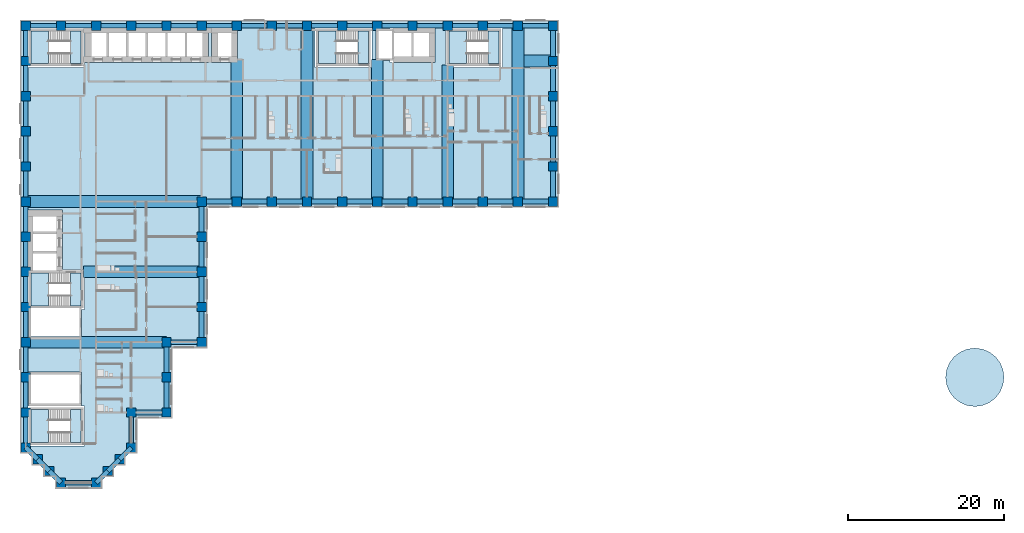
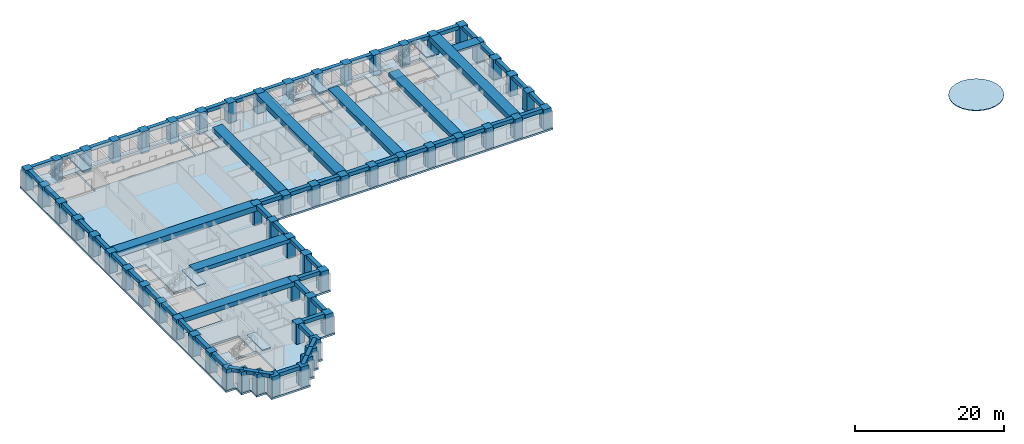
# One storey, part 1 of 12: 67 beams, 58 columns, 12 slabs, 5 elements without a shape of their own.
"""IFC4 building model written with IfcOpenShell, lengths in metres."""

from ifc_helpers import new_model, si_unit, direction, frame, origin, origin_2d, place, context, subcontext, project, spatial, polyline, rectangle, outline, extrude, material, layer, layer_set, material_profile, profile_set, type_object, element, aggregate, save


model = new_model("IFC4")

# Units and contexts
model_context = context("Model", 3, precision=1e-05, world=origin(), true_north=direction((0.0, 1.0)))
body_context = subcontext(model_context, "Body", "Model", "MODEL_VIEW")
ifc_project = project(units=[si_unit("LENGTHUNIT", "METRE"), si_unit("AREAUNIT", "SQUARE_METRE"), si_unit("VOLUMEUNIT", "CUBIC_METRE"), si_unit("PLANEANGLEUNIT", "RADIAN"), si_unit("MASSUNIT", "GRAM", prefix="KILO")], contexts=[model_context])

# Site, building, storey
site_placement = place(None, origin())
site = spatial("IfcSite", under=ifc_project, at=site_placement, CompositionType="ELEMENT")
building_placement = place(site_placement, origin())
building = spatial("IfcBuilding", under=site, at=building_placement, Name="Firuza Court", CompositionType="ELEMENT")
storey_placement = place(building_placement, frame((0.0, 0.0, 36.199951171875)))
storey = spatial("IfcBuildingStorey", under=building, at=storey_placement, Name="L07", CompositionType="ELEMENT", Elevation=36.199951171875)

# Columns
ifc_material_1 = material(Name="Concrete C70/85", Category="concrete")
ifc_material_profile_1 = material_profile(ifc_material_1, rectangle(XDim=1.199951171875, YDim=1.199951171875, at=origin_2d()), Name="RC 1200x1200")
ifc_profile_set_1 = profile_set([ifc_material_profile_1], Name="Concrete C70/85")
column_type = type_object("IfcColumnType", Name="Tube column RC 1200x1200 C70/85", PredefinedType="COLUMN", material=ifc_profile_set_1)
for number, where, z_axis, x_axis, name in (
    (1, (4.5, 0.0, -0.300048828125), (0.0, 0.0, 1.0), (1.0, 0.0, 0.0), "Column C-2D L07"),
    (2, (9.0, 0.0, -0.300048828125), (0.0, 0.0, 1.0), (1.0, 0.0, 0.0), "Column C-3D L07"),
    (3, (3.0, 1.5, -0.300048828125), (0.0, 0.0, 1.0), (1.0, 0.0, 0.0), "Column C-SA1 L07"),
    (4, (10.5, 1.5, -0.300048828125), (0.0, 0.0, 1.0), (1.0, 0.0, 0.0), "Column C-SA2 L07"),
    (5, (1.5, 3.0, -0.300048828125), (0.0, 0.0, 1.0), (1.0, 0.0, 0.0), "Column C-SA3 L07"),
    (6, (12.0, 3.0, -0.300048828125), (0.0, 0.0, 1.0), (1.0, 0.0, 0.0), "Column C-SA4 L07"),
    (7, (0.0, 4.5, -0.300048828125), (0.0, 0.0, 1.0), (1.0, 0.0, 0.0), "Column C-1E L07"),
    (8, (13.5, 4.5, -0.300048828125), (0.0, 0.0, 1.0), (1.0, 0.0, 0.0), "Column C-4E L07"),
    (9, (0.0, 9.0, -0.300048828125), (0.0, 0.0, 1.0), (1.0, 0.0, 0.0), "Column C-1F L07"),
    (10, (13.5, 9.0, -0.300048828125), (0.0, 0.0, 1.0), (1.0, 0.0, 0.0), "Column C-4F L07"),
    (11, (18.0, 9.0, -0.300048828125), (0.0, 0.0, 1.0), (1.0, 0.0, 0.0), "Column C-5F L07"),
    (12, (0.0, 13.5, -0.300048828125), (0.0, 0.0, 1.0), (1.0, 0.0, 0.0), "Column C-1G L07"),
    (13, (18.0, 13.5, -0.300048828125), (0.0, 0.0, 1.0), (1.0, 0.0, 0.0), "Column C-5G L07"),
    (14, (0.0, 18.0, -0.300048828125), (0.0, 0.0, 1.0), (1.0, 0.0, 0.0), "Column C-1H L07"),
    (15, (18.0, 18.0, -0.300048828125), (0.0, 0.0, 1.0), (1.0, 0.0, 0.0), "Column C-5H L07"),
    (16, (22.5, 18.0, -0.300048828125), (0.0, 0.0, 1.0), (1.0, 0.0, 0.0), "Column C-6H L07"),
    (17, (0.0, 22.5, -0.300048828125), (0.0, 0.0, 1.0), (1.0, 0.0, 0.0), "Column C-1J L07"),
    (18, (22.5, 22.5, -0.300048828125), (0.0, 0.0, 1.0), (1.0, 0.0, 0.0), "Column C-6J L07"),
    (19, (0.0, 27.0, -0.300048828125), (0.0, 0.0, 1.0), (1.0, 0.0, 0.0), "Column C-1K L07"),
    (20, (22.5, 27.0, -0.300048828125), (0.0, 0.0, 1.0), (1.0, 0.0, 0.0), "Column C-6K L07"),
    (21, (0.0, 31.5, -0.300048828125), (0.0, 0.0, 1.0), (1.0, 0.0, 0.0), "Column C-1L L07"),
    (22, (22.5, 31.5, -0.300048828125), (0.0, 0.0, 1.0), (1.0, 0.0, 0.0), "Column C-6L L07"),
    (23, (0.0, 36.0, -0.300048828125), (0.0, 0.0, 1.0), (1.0, 0.0, 0.0), "Column C-1M L07"),
    (24, (22.5, 36.0, -0.300048828125), (0.0, 0.0, 1.0), (1.0, 0.0, 0.0), "Column C-6M L07"),
    (25, (27.0, 36.0, -0.300048828125), (0.0, 0.0, 1.0), (1.0, 0.0, 0.0), "Column C-7M L07"),
    (26, (31.5, 36.0, -0.300048828125), (0.0, 0.0, 1.0), (1.0, 0.0, 0.0), "Column C-8M L07"),
    (27, (36.0, 36.0, -0.300048828125), (0.0, 0.0, 1.0), (1.0, 0.0, 0.0), "Column C-9M L07"),
    (28, (40.5, 36.0, -0.300048828125), (0.0, 0.0, 1.0), (1.0, 0.0, 0.0), "Column C-10M L07"),
    (29, (45.0, 36.0, -0.300048828125), (0.0, 0.0, 1.0), (1.0, 0.0, 0.0), "Column C-11M L07"),
    (30, (49.5, 36.0, -0.300048828125), (0.0, 0.0, 1.0), (1.0, 0.0, 0.0), "Column C-12M L07"),
    (31, (54.0, 36.0, -0.300048828125), (0.0, 0.0, 1.0), (1.0, 0.0, 0.0), "Column C-13M L07"),
    (32, (58.5, 36.0, -0.300048828125), (0.0, 0.0, 1.0), (1.0, 0.0, 0.0), "Column C-14M L07"),
    (33, (63.0, 36.0, -0.300048828125), (0.0, 0.0, 1.0), (1.0, 0.0, 0.0), "Column C-15M L07"),
    (34, (67.5, 36.0, -0.300048828125), (0.0, 0.0, 1.0), (1.0, 0.0, 0.0), "Column C-16M L07"),
    (35, (0.0, 40.5, -0.300048828125), (0.0, 0.0, 1.0), (1.0, 0.0, 0.0), "Column C-1N L07"),
    (36, (67.5, 40.5, -0.300048828125), (0.0, 0.0, 1.0), (1.0, 0.0, 0.0), "Column C-16N L07"),
    (37, (0.0, 45.0, -0.300048828125), (0.0, 0.0, 1.0), (1.0, 0.0, 0.0), "Column C-1P L07"),
    (38, (67.5, 45.0, -0.300048828125), (0.0, 0.0, 1.0), (1.0, 0.0, 0.0), "Column C-16P L07"),
    (39, (0.0, 49.5, -0.300048828125), (0.0, 0.0, 1.0), (1.0, 0.0, 0.0), "Column C-1Q L07"),
    (40, (67.5, 49.5, -0.300048828125), (0.0, 0.0, 1.0), (1.0, 0.0, 0.0), "Column C-16Q L07"),
    (41, (0.0, 54.0, -0.300048828125), (0.0, 0.0, 1.0), (1.0, 0.0, 0.0), "Column C-1R L07"),
    (42, (67.5, 54.0, -0.300048828125), (0.0, 0.0, 1.0), (1.0, 0.0, 0.0), "Column C-16R L07"),
    (43, (0.0, 58.5, -0.300048828125), (0.0, 0.0, 1.0), (1.0, 0.0, 0.0), "Column C-1S L07"),
    (44, (4.5, 58.5, -0.300048828125), (0.0, 0.0, 1.0), (1.0, 0.0, 0.0), "Column C-2S L07"),
    (45, (9.0, 58.5, -0.300048828125), (0.0, 0.0, 1.0), (1.0, 0.0, 0.0), "Column C-3S L07"),
    (46, (13.5, 58.5, -0.300048828125), (0.0, 0.0, 1.0), (1.0, 0.0, 0.0), "Column C-4S L07"),
    (47, (18.0, 58.5, -0.300048828125), (0.0, 0.0, 1.0), (1.0, 0.0, 0.0), "Column C-5S L07"),
    (48, (22.5, 58.5, -0.300048828125), (0.0, 0.0, 1.0), (1.0, 0.0, 0.0), "Column C-6S L07"),
    (49, (27.0, 58.5, -0.300048828125), (0.0, 0.0, 1.0), (1.0, 0.0, 0.0), "Column C-7S L07"),
    (50, (31.5, 58.5, -0.300048828125), (0.0, 0.0, 1.0), (1.0, 0.0, 0.0), "Column C-8S L07"),
    (51, (36.0, 58.5, -0.300048828125), (0.0, 0.0, 1.0), (1.0, 0.0, 0.0), "Column C-9S L07"),
    (52, (40.5, 58.5, -0.300048828125), (0.0, 0.0, 1.0), (1.0, 0.0, 0.0), "Column C-10S L07"),
    (53, (45.0, 58.5, -0.300048828125), (0.0, 0.0, 1.0), (1.0, 0.0, 0.0), "Column C-11S L07"),
    (54, (49.5, 58.5, -0.300048828125), (0.0, 0.0, 1.0), (1.0, 0.0, 0.0), "Column C-12S L07"),
    (55, (54.0, 58.5, -0.300048828125), (0.0, 0.0, 1.0), (1.0, 0.0, 0.0), "Column C-13S L07"),
    (56, (58.5, 58.5, -0.300048828125), (0.0, 0.0, 1.0), (1.0, 0.0, 0.0), "Column C-14S L07"),
    (57, (63.0, 58.5, -0.300048828125), (0.0, 0.0, 1.0), (1.0, 0.0, 0.0), "Column C-15S L07"),
    (58, (67.5, 58.5, -0.300048828125), (0.0, 0.0, 1.0), (1.0, 0.0, 0.0), "Column C-16S L07"),
):
    element("IfcColumn", number, at=place(storey_placement, frame(where, z_axis=z_axis, x_axis=x_axis)), inside=storey, type_object=column_type, Name=name, PredefinedType="COLUMN", context=body_context, shape_type="SweptSolid", body=[
        extrude(rectangle(XDim=1.199951171875, YDim=1.199951171875, at=origin_2d()), origin(), (0.0, 0.0, 1.0), 3.60009765625),
    ])

# Beams
ifc_material_2 = material(Name="Concrete C40/50", Category="concrete")
ifc_material_profile_2 = material_profile(ifc_material_2, rectangle(XDim=1.5, YDim=0.300048828125, at=origin_2d()), Name="RC 1500x300")
ifc_profile_set_2 = profile_set([ifc_material_profile_2], Name="Concrete C40/50")
beam_type_1 = type_object("IfcBeamType", Name="Band beam RC 1500x300 C40/50", PredefinedType="BEAM", material=ifc_profile_set_2)
beam_1_placement = place(storey_placement, frame((67.5, 54.0, 3.150146484375), z_axis=(-1.0, 0.0, 0.0), x_axis=(0.0, -1.0, 0.0)))
element("IfcBeam", 59, at=beam_1_placement, inside=storey, type_object=beam_type_1, Name="Band beam FB6 level L08", PredefinedType="BEAM", context=body_context, shape_type="SweptSolid", body=[
    extrude(rectangle(XDim=1.5, YDim=0.300048828125, at=origin_2d()), origin(), (0.0, 0.0, 1.0), 3.75),
])
ifc_material_3 = material(Name="Concrete C40/50", Category="concrete")
ifc_material_profile_3 = material_profile(ifc_material_3, rectangle(XDim=1.5, YDim=0.60009765625, at=origin_2d()), Name="RC 1500x600")
ifc_profile_set_3 = profile_set([ifc_material_profile_3], Name="Concrete C40/50")
beam_type_2 = type_object("IfcBeamType", Name="Band beam RC 1500x600 C40/50", PredefinedType="BEAM", material=ifc_profile_set_3)
beam_2_placement = place(storey_placement, frame((22.5, 27.0, 3.0), z_axis=(-1.0, 0.0, 0.0), x_axis=(0.0, -1.0, 0.0)))
element("IfcBeam", 60, at=beam_2_placement, inside=storey, type_object=beam_type_2, Name="Band beam FB3 level L08", PredefinedType="BEAM", context=body_context, shape_type="SweptSolid", body=[
    extrude(rectangle(XDim=1.5, YDim=0.60009765625, at=origin_2d()), origin(), (0.0, 0.0, 1.0), 15.14990234375),
])
ifc_material_4 = material(Name="Concrete C40/50", Category="concrete")
ifc_material_profile_4 = material_profile(ifc_material_4, rectangle(XDim=1.5, YDim=0.699951171875, at=origin_2d()), Name="RC 1500x700")
ifc_profile_set_4 = profile_set([ifc_material_profile_4], Name="Concrete C40/50")
beam_type_3 = type_object("IfcBeamType", Name="Band beam RC 1500x700 C40/50", PredefinedType="BEAM", material=ifc_profile_set_4)
beam_3_placement = place(storey_placement, frame((0.0, 18.0, 2.949951171875), z_axis=(1.0, 0.0, 0.0), x_axis=(0.0, 1.0, 0.0)))
element("IfcBeam", 61, at=beam_3_placement, inside=storey, type_object=beam_type_3, Name="Band beam FB1 level L08", PredefinedType="BEAM", context=body_context, shape_type="SweptSolid", body=[
    extrude(rectangle(XDim=1.5, YDim=0.699951171875, at=origin_2d()), origin(), (0.0, 0.0, 1.0), 18.0),
])
for number, where, z_axis, x_axis, name in (
    (62, (27.0, 36.0, 2.949951171875), (0.0, 1.0, 0.0), (-1.0, 0.0, 0.0), "Band beam FB1 level L08"),
    (63, (45.0, 36.0, 2.949951171875), (0.0, 1.0, 0.0), (-1.0, 0.0, 0.0), "Band beam FB1 level L08"),
):
    element("IfcBeam", number, at=place(storey_placement, frame(where, z_axis=z_axis, x_axis=x_axis)), inside=storey, type_object=beam_type_3, Name=name, PredefinedType="BEAM", context=body_context, shape_type="SweptSolid", body=[
        extrude(rectangle(XDim=1.5, YDim=0.699951171875, at=origin_2d()), origin(), (0.0, 0.0, 1.0), 18.199951171875),
    ])
beam_4_placement = place(storey_placement, frame((54.0, 36.0, 2.949951171875), z_axis=(0.0, 1.0, 0.0), x_axis=(-1.0, 0.0, 0.0)))
element("IfcBeam", 64, at=beam_4_placement, inside=storey, type_object=beam_type_3, Name="Band beam FB1 level L08", PredefinedType="BEAM", context=body_context, shape_type="SweptSolid", body=[
    extrude(rectangle(XDim=1.5, YDim=0.699951171875, at=origin_2d()), origin(), (0.0, 0.0, 1.0), 17.5),
])
ifc_material_5 = material(Name="Concrete C40/50", Category="concrete")
ifc_material_profile_5 = material_profile(ifc_material_5, rectangle(XDim=1.5, YDim=0.89990234375, at=origin_2d()), Name="RC 1500x900")
ifc_profile_set_5 = profile_set([ifc_material_profile_5], Name="Concrete C40/50")
beam_type_4 = type_object("IfcBeamType", Name="Band beam RC 1500x900 C40/50", PredefinedType="BEAM", material=ifc_profile_set_5)
for number, where, z_axis, x_axis, name in (
    (65, (0.0, 36.0, 2.85009765625), (1.0, 0.0, 0.0), (0.0, 1.0, 0.0), "Band beam FB2 level L08"),
    (66, (36.0, 36.0, 2.85009765625), (0.0, 1.0, 0.0), (-1.0, 0.0, 0.0), "Band beam FB2 level L08"),
    (67, (63.0, 36.0, 2.85009765625), (0.0, 1.0, 0.0), (-1.0, 0.0, 0.0), "Band beam FB2 level L08"),
):
    element("IfcBeam", number, at=place(storey_placement, frame(where, z_axis=z_axis, x_axis=x_axis)), inside=storey, type_object=beam_type_4, Name=name, PredefinedType="BEAM", context=body_context, shape_type="SweptSolid", body=[
        extrude(rectangle(XDim=1.5, YDim=0.89990234375, at=origin_2d()), origin(), (0.0, 0.0, 1.0), 22.5),
    ])
ifc_material_6 = material(Name="Concrete C40/50", Category="concrete")
ifc_material_profile_6 = material_profile(ifc_material_6, rectangle(XDim=0.60009765625, YDim=0.60009765625, at=origin_2d()), Name="RC 600x600")
ifc_profile_set_6 = profile_set([ifc_material_profile_6], Name="Concrete C40/50")
beam_type_5 = type_object("IfcBeamType", Name="Spandrel beam RC 600x600 C40/50", PredefinedType="BEAM", material=ifc_profile_set_6)
beam_5_placement = place(storey_placement, frame((0.0, 4.5, 3.0), z_axis=(0.707106781187, -0.707106781187, 0.0), x_axis=(0.707106781187, 0.707106781187, 0.0)))
element("IfcBeam", 68, at=beam_5_placement, inside=storey, type_object=beam_type_5, Name="Spandrel beam SP11 level L08", PredefinedType="BEAM", context=body_context, shape_type="SweptSolid", body=[
    extrude(rectangle(XDim=0.60009765625, YDim=0.60009765625, at=origin_2d()), origin(), (0.0, 0.0, 1.0), 2.121337890625),
])
for number, where, z_axis, x_axis, name in (
    (69, (0.0, 9.0, 3.0), (0.0, -1.0, 0.0), (1.0, 0.0, 0.0), "Spandrel beam SP11 level L08"),
    (70, (0.0, 13.5, 3.0), (0.0, -1.0, 0.0), (1.0, 0.0, 0.0), "Spandrel beam SP11 level L08"),
    (71, (0.0, 18.0, 3.0), (0.0, -1.0, 0.0), (1.0, 0.0, 0.0), "Spandrel beam SP11 level L08"),
    (72, (0.0, 22.5, 3.0), (0.0, -1.0, 0.0), (1.0, 0.0, 0.0), "Spandrel beam SP11 level L08"),
    (73, (0.0, 27.0, 3.0), (0.0, -1.0, 0.0), (1.0, 0.0, 0.0), "Spandrel beam SP11 level L08"),
    (74, (0.0, 31.5, 3.0), (0.0, -1.0, 0.0), (1.0, 0.0, 0.0), "Spandrel beam SP11 level L08"),
    (75, (0.0, 36.0, 3.0), (0.0, -1.0, 0.0), (1.0, 0.0, 0.0), "Spandrel beam SP11 level L08"),
    (76, (0.0, 40.5, 3.0), (0.0, -1.0, 0.0), (1.0, 0.0, 0.0), "Spandrel beam SP11 level L08"),
    (77, (0.0, 45.0, 3.0), (0.0, -1.0, 0.0), (1.0, 0.0, 0.0), "Spandrel beam SP11 level L08"),
    (78, (0.0, 49.5, 3.0), (0.0, -1.0, 0.0), (1.0, 0.0, 0.0), "Spandrel beam SP11 level L08"),
    (79, (0.0, 54.0, 3.0), (0.0, -1.0, 0.0), (1.0, 0.0, 0.0), "Spandrel beam SP11 level L08"),
    (80, (0.0, 58.5, 3.0), (0.0, -1.0, 0.0), (1.0, 0.0, 0.0), "Spandrel beam SP11 level L08"),
):
    element("IfcBeam", number, at=place(storey_placement, frame(where, z_axis=z_axis, x_axis=x_axis)), inside=storey, type_object=beam_type_5, Name=name, PredefinedType="BEAM", context=body_context, shape_type="SweptSolid", body=[
        extrude(rectangle(XDim=0.60009765625, YDim=0.60009765625, at=origin_2d()), origin(), (0.0, 0.0, 1.0), 4.5),
    ])
for number, where, z_axis, x_axis, name in (
    (81, (1.5, 3.0, 3.0), (0.707106781187, -0.707106781187, 0.0), (0.707106781187, 0.707106781187, 0.0), "Spandrel beam SP11 level L08"),
    (82, (3.0, 1.5, 3.0), (0.707106781187, -0.707106781187, 0.0), (0.707106781187, 0.707106781187, 0.0), "Spandrel beam SP11 level L08"),
):
    element("IfcBeam", number, at=place(storey_placement, frame(where, z_axis=z_axis, x_axis=x_axis)), inside=storey, type_object=beam_type_5, Name=name, PredefinedType="BEAM", context=body_context, shape_type="SweptSolid", body=[
        extrude(rectangle(XDim=0.60009765625, YDim=0.60009765625, at=origin_2d()), origin(), (0.0, 0.0, 1.0), 2.121337890625),
    ])
for number, where, z_axis, x_axis, name in (
    (83, (4.5, 0.0, 3.0), (1.0, 0.0, 0.0), (0.0, 1.0, 0.0), "Spandrel beam SP11 level L08"),
    (84, (4.5, 58.5, 3.0), (-1.0, 0.0, 0.0), (0.0, -1.0, 0.0), "Spandrel beam SP11 level L08"),
):
    element("IfcBeam", number, at=place(storey_placement, frame(where, z_axis=z_axis, x_axis=x_axis)), inside=storey, type_object=beam_type_5, Name=name, PredefinedType="BEAM", context=body_context, shape_type="SweptSolid", body=[
        extrude(rectangle(XDim=0.60009765625, YDim=0.60009765625, at=origin_2d()), origin(), (0.0, 0.0, 1.0), 4.5),
    ])
beam_6_placement = place(storey_placement, frame((9.0, 0.0, 3.0), z_axis=(0.707106781187, 0.707106781187, 0.0), x_axis=(-0.707106781187, 0.707106781187, 0.0)))
element("IfcBeam", 85, at=beam_6_placement, inside=storey, type_object=beam_type_5, Name="Spandrel beam SP11 level L08", PredefinedType="BEAM", context=body_context, shape_type="SweptSolid", body=[
    extrude(rectangle(XDim=0.60009765625, YDim=0.60009765625, at=origin_2d()), origin(), (0.0, 0.0, 1.0), 2.121337890625),
])
beam_7_placement = place(storey_placement, frame((9.0, 58.5, 3.0), z_axis=(-1.0, 0.0, 0.0), x_axis=(0.0, -1.0, 0.0)))
element("IfcBeam", 86, at=beam_7_placement, inside=storey, type_object=beam_type_5, Name="Spandrel beam SP11 level L08", PredefinedType="BEAM", context=body_context, shape_type="SweptSolid", body=[
    extrude(rectangle(XDim=0.60009765625, YDim=0.60009765625, at=origin_2d()), origin(), (0.0, 0.0, 1.0), 4.5),
])
for number, where, z_axis, x_axis, name in (
    (87, (10.5, 1.5, 3.0), (0.707106781187, 0.707106781187, 0.0), (-0.707106781187, 0.707106781187, 0.0), "Spandrel beam SP11 level L08"),
    (88, (12.0, 3.0, 3.0), (0.707106781187, 0.707106781187, 0.0), (-0.707106781187, 0.707106781187, 0.0), "Spandrel beam SP11 level L08"),
):
    element("IfcBeam", number, at=place(storey_placement, frame(where, z_axis=z_axis, x_axis=x_axis)), inside=storey, type_object=beam_type_5, Name=name, PredefinedType="BEAM", context=body_context, shape_type="SweptSolid", body=[
        extrude(rectangle(XDim=0.60009765625, YDim=0.60009765625, at=origin_2d()), origin(), (0.0, 0.0, 1.0), 2.121337890625),
    ])
for number, where, z_axis, x_axis, name in (
    (89, (13.5, 4.5, 3.0), (0.0, 1.0, 0.0), (-1.0, 0.0, 0.0), "Spandrel beam SP11 level L08"),
    (90, (13.5, 9.0, 3.0), (1.0, 0.0, 0.0), (0.0, 1.0, 0.0), "Spandrel beam SP11 level L08"),
    (91, (13.5, 58.5, 3.0), (-1.0, 0.0, 0.0), (0.0, -1.0, 0.0), "Spandrel beam SP11 level L08"),
    (92, (18.0, 9.0, 3.0), (0.0, 1.0, 0.0), (-1.0, 0.0, 0.0), "Spandrel beam SP11 level L08"),
    (93, (18.0, 13.5, 3.0), (0.0, 1.0, 0.0), (-1.0, 0.0, 0.0), "Spandrel beam SP11 level L08"),
    (94, (18.0, 18.0, 3.0), (1.0, 0.0, 0.0), (0.0, 1.0, 0.0), "Spandrel beam SP11 level L08"),
    (95, (18.0, 58.5, 3.0), (-1.0, 0.0, 0.0), (0.0, -1.0, 0.0), "Spandrel beam SP11 level L08"),
    (96, (22.5, 18.0, 3.0), (0.0, 1.0, 0.0), (-1.0, 0.0, 0.0), "Spandrel beam SP11 level L08"),
    (97, (22.5, 22.5, 3.0), (0.0, 1.0, 0.0), (-1.0, 0.0, 0.0), "Spandrel beam SP11 level L08"),
    (98, (22.5, 27.0, 3.0), (0.0, 1.0, 0.0), (-1.0, 0.0, 0.0), "Spandrel beam SP11 level L08"),
    (99, (22.5, 31.5, 3.0), (0.0, 1.0, 0.0), (-1.0, 0.0, 0.0), "Spandrel beam SP11 level L08"),
    (100, (22.5, 36.0, 3.0), (1.0, 0.0, 0.0), (0.0, 1.0, 0.0), "Spandrel beam SP11 level L08"),
    (101, (22.5, 58.5, 3.0), (-1.0, 0.0, 0.0), (0.0, -1.0, 0.0), "Spandrel beam SP11 level L08"),
    (102, (27.0, 36.0, 3.0), (1.0, 0.0, 0.0), (0.0, 1.0, 0.0), "Spandrel beam SP11 level L08"),
    (103, (27.0, 58.5, 3.0), (-1.0, 0.0, 0.0), (0.0, -1.0, 0.0), "Spandrel beam SP11 level L08"),
    (104, (31.5, 36.0, 3.0), (1.0, 0.0, 0.0), (0.0, 1.0, 0.0), "Spandrel beam SP11 level L08"),
    (105, (31.5, 58.5, 3.0), (-1.0, 0.0, 0.0), (0.0, -1.0, 0.0), "Spandrel beam SP11 level L08"),
    (106, (36.0, 36.0, 3.0), (1.0, 0.0, 0.0), (0.0, 1.0, 0.0), "Spandrel beam SP11 level L08"),
    (107, (36.0, 58.5, 3.0), (-1.0, 0.0, 0.0), (0.0, -1.0, 0.0), "Spandrel beam SP11 level L08"),
    (108, (40.5, 36.0, 3.0), (1.0, 0.0, 0.0), (0.0, 1.0, 0.0), "Spandrel beam SP11 level L08"),
    (109, (40.5, 58.5, 3.0), (-1.0, 0.0, 0.0), (0.0, -1.0, 0.0), "Spandrel beam SP11 level L08"),
    (110, (45.0, 36.0, 3.0), (1.0, 0.0, 0.0), (0.0, 1.0, 0.0), "Spandrel beam SP11 level L08"),
    (111, (45.0, 58.5, 3.0), (-1.0, 0.0, 0.0), (0.0, -1.0, 0.0), "Spandrel beam SP11 level L08"),
    (112, (49.5, 36.0, 3.0), (1.0, 0.0, 0.0), (0.0, 1.0, 0.0), "Spandrel beam SP11 level L08"),
    (113, (49.5, 58.5, 3.0), (-1.0, 0.0, 0.0), (0.0, -1.0, 0.0), "Spandrel beam SP11 level L08"),
    (114, (54.0, 36.0, 3.0), (1.0, 0.0, 0.0), (0.0, 1.0, 0.0), "Spandrel beam SP11 level L08"),
    (115, (54.0, 58.5, 3.0), (-1.0, 0.0, 0.0), (0.0, -1.0, 0.0), "Spandrel beam SP11 level L08"),
    (116, (58.5, 36.0, 3.0), (1.0, 0.0, 0.0), (0.0, 1.0, 0.0), "Spandrel beam SP11 level L08"),
    (117, (58.5, 58.5, 3.0), (-1.0, 0.0, 0.0), (0.0, -1.0, 0.0), "Spandrel beam SP11 level L08"),
    (118, (63.0, 36.0, 3.0), (1.0, 0.0, 0.0), (0.0, 1.0, 0.0), "Spandrel beam SP11 level L08"),
    (119, (63.0, 58.5, 3.0), (-1.0, 0.0, 0.0), (0.0, -1.0, 0.0), "Spandrel beam SP11 level L08"),
    (120, (67.5, 36.0, 3.0), (0.0, 1.0, 0.0), (-1.0, 0.0, 0.0), "Spandrel beam SP11 level L08"),
    (121, (67.5, 40.5, 3.0), (0.0, 1.0, 0.0), (-1.0, 0.0, 0.0), "Spandrel beam SP11 level L08"),
    (122, (67.5, 45.0, 3.0), (0.0, 1.0, 0.0), (-1.0, 0.0, 0.0), "Spandrel beam SP11 level L08"),
    (123, (67.5, 49.5, 3.0), (0.0, 1.0, 0.0), (-1.0, 0.0, 0.0), "Spandrel beam SP11 level L08"),
    (124, (67.5, 54.0, 3.0), (0.0, 1.0, 0.0), (-1.0, 0.0, 0.0), "Spandrel beam SP11 level L08"),
    (125, (67.5, 58.5, 3.0), (-1.0, 0.0, 0.0), (0.0, -1.0, 0.0), "Spandrel beam SP11 level L08"),
):
    element("IfcBeam", number, at=place(storey_placement, frame(where, z_axis=z_axis, x_axis=x_axis)), inside=storey, type_object=beam_type_5, Name=name, PredefinedType="BEAM", context=body_context, shape_type="SweptSolid", body=[
        extrude(rectangle(XDim=0.60009765625, YDim=0.60009765625, at=origin_2d()), origin(), (0.0, 0.0, 1.0), 4.5),
    ])

# Slabs
ifc_material_7 = material(Name="Concrete C40/50", Category="concrete")
ifc_layer_1 = layer(ifc_material_7, 0.300048828125)
ifc_layer_set_1 = layer_set([ifc_layer_1], Name="Concrete C40/50")
slab_type_1 = type_object("IfcSlabType", Name="Floor slab 300 C40/50", PredefinedType="FLOOR", material=ifc_layer_set_1)
slab_1_placement = place(storey_placement, frame((0.0, 0.0, -0.300048828125)))
element("IfcSlab", 126, at=slab_1_placement, inside=storey, type_object=slab_type_1, Name="Floor slab L07", PredefinedType="FLOOR", context=body_context, shape_type="SweptSolid", body=[
    extrude(outline(polyline([(3.75, -0.75), (3.75, 0.75), (2.25, 0.75), (2.25, 2.25), (0.75, 2.25), (0.75, 3.75), (-0.75, 3.75), (-0.75, 59.25), (68.25, 59.25), (68.25, 35.25), (23.25, 35.25), (23.25, 17.25), (18.75, 17.25), (18.75, 8.25), (14.25, 8.25), (14.25, 3.75), (12.75, 3.75), (12.75, 2.25), (11.25, 2.25), (11.25, 0.75), (9.75, 0.75), (9.75, -0.75), (3.75, -0.75)]), holes=[polyline([(7.5, 9.800048828125), (0.199951171875, 9.800048828125), (0.199951171875, 4.699951171875), (7.5, 4.699951171875), (7.5, 9.800048828125)]), polyline([(7.14990234375, 14.14990234375), (0.35009765625, 14.14990234375), (0.35009765625, 9.85009765625), (7.14990234375, 9.85009765625), (7.14990234375, 14.14990234375)]), polyline([(0.199951171875, 22.199951171875), (0.35009765625, 22.199951171875), (0.35009765625, 18.35009765625), (7.14990234375, 18.35009765625), (7.14990234375, 22.199951171875), (7.5, 22.199951171875), (7.5, 27.300048828125), (4.699951171875, 27.300048828125), (4.699951171875, 29.10009765625), (4.699951171875, 29.89990234375), (4.699951171875, 31.60009765625), (4.699951171875, 32.39990234375), (4.699951171875, 34.89990234375), (0.10009765625, 34.89990234375), (0.10009765625, 32.39990234375), (0.10009765625, 31.60009765625), (0.10009765625, 29.89990234375), (0.10009765625, 29.10009765625), (0.10009765625, 26.60009765625), (0.199951171875, 26.60009765625), (0.199951171875, 22.199951171875)]), polyline([(7.5, 58.300048828125), (0.199951171875, 58.300048828125), (0.199951171875, 53.199951171875), (7.5, 53.199951171875), (7.5, 58.300048828125)]), polyline([(10.10009765625, 58.39990234375), (7.60009765625, 58.39990234375), (7.60009765625, 53.800048828125), (10.10009765625, 53.800048828125), (10.89990234375, 53.800048828125), (12.60009765625, 53.800048828125), (13.39990234375, 53.800048828125), (15.10009765625, 53.800048828125), (15.89990234375, 53.800048828125), (17.60009765625, 53.800048828125), (18.39990234375, 53.800048828125), (20.10009765625, 53.800048828125), (20.89990234375, 53.800048828125), (23.39990234375, 53.800048828125), (23.39990234375, 58.39990234375), (20.89990234375, 58.39990234375), (20.10009765625, 58.39990234375), (18.39990234375, 58.39990234375), (17.60009765625, 58.39990234375), (15.89990234375, 58.39990234375), (15.10009765625, 58.39990234375), (13.39990234375, 58.39990234375), (12.60009765625, 58.39990234375), (10.89990234375, 58.39990234375), (10.10009765625, 58.39990234375)]), polyline([(44.300048828125, 58.300048828125), (37.0, 58.300048828125), (37.0, 53.199951171875), (44.300048828125, 53.199951171875), (44.300048828125, 58.300048828125)]), polyline([(61.0, 58.300048828125), (53.699951171875, 58.300048828125), (53.699951171875, 53.199951171875), (61.0, 53.199951171875), (61.0, 58.300048828125)]), polyline([(27.10009765625, 58.39990234375), (23.800048828125, 58.39990234375), (23.800048828125, 53.800048828125), (27.10009765625, 53.800048828125), (27.10009765625, 58.39990234375)]), polyline([(46.60009765625, 58.14990234375), (44.85009765625, 58.14990234375), (44.85009765625, 54.050048828125), (46.60009765625, 54.050048828125), (46.60009765625, 53.800048828125), (49.10009765625, 53.800048828125), (49.89990234375, 53.800048828125), (52.39990234375, 53.800048828125), (52.39990234375, 58.39990234375), (49.89990234375, 58.39990234375), (49.10009765625, 58.39990234375), (46.60009765625, 58.39990234375), (46.60009765625, 58.14990234375)])]), origin(), (0.0, 0.0, 1.0), 0.300048828125),
])
ifc_material_8 = material(Name="Steel S355", Category="steel")
ifc_layer_2 = layer(ifc_material_8, 0.080078125)
ifc_material_9 = material(Name="Ceramic tile", Category="ceramic")
ifc_layer_3 = layer(ifc_material_9, 0.02001953125)
ifc_layer_set_2 = layer_set([ifc_layer_2, ifc_layer_3], Name="Steel S355")
slab_type_2 = type_object("IfcSlabType", Name="HALL DOME CAP 100", PredefinedType="ROOF", material=ifc_layer_set_2)
slab_2_placement = place(storey_placement, frame((0.0, 0.0, -0.094970703125)))
element("IfcSlab", 127, at=slab_2_placement, inside=storey, type_object=slab_type_2, Name="Dome cap", PredefinedType="ROOF", context=body_context, shape_type="SweptSolid", body=[
    extrude(outline(polyline([(125.23779296875, 13.5), (125.1103515625, 14.467529296875), (124.737060546875, 15.368896484375), (124.14306640625, 16.14306640625), (123.368896484375, 16.737060546875), (122.467529296875, 17.1103515625), (121.5, 17.23779296875), (120.532470703125, 17.1103515625), (119.631103515625, 16.737060546875), (118.85693359375, 16.14306640625), (118.262939453125, 15.368896484375), (117.8896484375, 14.467529296875), (117.76220703125, 13.5), (117.8896484375, 12.532470703125), (118.262939453125, 11.631103515625), (118.85693359375, 10.85693359375), (119.631103515625, 10.262939453125), (120.532470703125, 9.8896484375), (121.5, 9.76220703125), (122.467529296875, 9.8896484375), (123.368896484375, 10.262939453125), (124.14306640625, 10.85693359375), (124.737060546875, 11.631103515625), (125.1103515625, 12.532470703125), (125.23779296875, 13.5)])), origin(), (0.0, 0.0, 1.0), 0.10009765625),
])

# Stair, slabs
ifc_material_10 = material(Name="Concrete C40/50 precast", Category="concrete")
stair_type = type_object("IfcStairType", Name="Stair 1350 x 3600 2 flights", PredefinedType="HALF_TURN_STAIR", material=ifc_material_10)
stair_1_placement = place(storey_placement, origin())
stair_1 = element("IfcStair", 128, at=stair_1_placement, inside=storey, type_object=stair_type, Name="Stair 1 L07", PredefinedType="HALF_TURN_STAIR")
ifc_material_11 = material(Name="Concrete C40/50 precast", Category="concrete")
ifc_layer_4 = layer(ifc_material_11, 0.199951171875)
ifc_layer_set_3 = layer_set([ifc_layer_4], Name="Concrete C40/50 precast")
slab_type_3 = type_object("IfcSlabType", Name="Stair landing 200", PredefinedType="LANDING", material=ifc_layer_set_3)
slab_3_placement = place(storey_placement, frame((0.0, 0.0, 1.60009765625)))
slab_3 = element("IfcSlab", 129, at=slab_3_placement, type_object=slab_type_3, Name="S1 landing 1", PredefinedType="LANDING", context=body_context, shape_type="SweptSolid", body=[
    extrude(outline(polyline([(39.699951171875, 53.64990234375), (39.699951171875, 57.85009765625), (37.449951171875, 57.85009765625), (37.449951171875, 53.64990234375), (39.699951171875, 53.64990234375)])), origin(), (0.0, 0.0, 1.0), 0.199951171875),
])
slab_4_placement = place(storey_placement, frame((0.0, 0.0, 3.400146484375)))
slab_4 = element("IfcSlab", 130, at=slab_4_placement, type_object=slab_type_3, Name="S1 landing 2", PredefinedType="LANDING", context=body_context, shape_type="SweptSolid", body=[
    extrude(outline(polyline([(43.85009765625, 53.64990234375), (43.85009765625, 57.85009765625), (42.5, 57.85009765625), (42.5, 53.64990234375), (43.85009765625, 53.64990234375)])), origin(), (0.0, 0.0, 1.0), 0.199951171875),
])
aggregate(stair_1, [slab_3, slab_4])

stair_2_placement = place(storey_placement, origin())
stair_2 = element("IfcStair", 131, at=stair_2_placement, inside=storey, type_object=stair_type, Name="Stair 2 L07", PredefinedType="HALF_TURN_STAIR")
slab_5_placement = place(storey_placement, frame((0.0, 0.0, 1.60009765625)))
slab_5 = element("IfcSlab", 132, at=slab_5_placement, type_object=slab_type_3, Name="S2 landing 1", PredefinedType="LANDING", context=body_context, shape_type="SweptSolid", body=[
    extrude(outline(polyline([(2.89990234375, 22.64990234375), (2.89990234375, 26.85009765625), (0.64990234375, 26.85009765625), (0.64990234375, 22.64990234375), (2.89990234375, 22.64990234375)])), origin(), (0.0, 0.0, 1.0), 0.199951171875),
])
slab_6_placement = place(storey_placement, frame((0.0, 0.0, 3.400146484375)))
slab_6 = element("IfcSlab", 133, at=slab_6_placement, type_object=slab_type_3, Name="S2 landing 2", PredefinedType="LANDING", context=body_context, shape_type="SweptSolid", body=[
    extrude(outline(polyline([(7.050048828125, 22.64990234375), (7.050048828125, 26.85009765625), (5.699951171875, 26.85009765625), (5.699951171875, 22.64990234375), (7.050048828125, 22.64990234375)])), origin(), (0.0, 0.0, 1.0), 0.199951171875),
])
aggregate(stair_2, [slab_5, slab_6])

stair_3_placement = place(storey_placement, origin())
stair_3 = element("IfcStair", 134, at=stair_3_placement, inside=storey, type_object=stair_type, Name="Stair 3 L07", PredefinedType="HALF_TURN_STAIR")
slab_7_placement = place(storey_placement, frame((0.0, 0.0, 1.60009765625)))
slab_7 = element("IfcSlab", 135, at=slab_7_placement, type_object=slab_type_3, Name="S3 landing 1", PredefinedType="LANDING", context=body_context, shape_type="SweptSolid", body=[
    extrude(outline(polyline([(2.89990234375, 53.64990234375), (2.89990234375, 57.85009765625), (0.64990234375, 57.85009765625), (0.64990234375, 53.64990234375), (2.89990234375, 53.64990234375)])), origin(), (0.0, 0.0, 1.0), 0.199951171875),
])
slab_8_placement = place(storey_placement, frame((0.0, 0.0, 3.400146484375)))
slab_8 = element("IfcSlab", 136, at=slab_8_placement, type_object=slab_type_3, Name="S3 landing 2", PredefinedType="LANDING", context=body_context, shape_type="SweptSolid", body=[
    extrude(outline(polyline([(7.050048828125, 53.64990234375), (7.050048828125, 57.85009765625), (5.699951171875, 57.85009765625), (5.699951171875, 53.64990234375), (7.050048828125, 53.64990234375)])), origin(), (0.0, 0.0, 1.0), 0.199951171875),
])
aggregate(stair_3, [slab_7, slab_8])

stair_4_placement = place(storey_placement, origin())
stair_4 = element("IfcStair", 137, at=stair_4_placement, inside=storey, type_object=stair_type, Name="Stair 4 L07", PredefinedType="HALF_TURN_STAIR")
slab_9_placement = place(storey_placement, frame((0.0, 0.0, 1.60009765625)))
slab_9 = element("IfcSlab", 138, at=slab_9_placement, type_object=slab_type_3, Name="S4 landing 1", PredefinedType="LANDING", context=body_context, shape_type="SweptSolid", body=[
    extrude(outline(polyline([(56.39990234375, 53.64990234375), (56.39990234375, 57.85009765625), (54.14990234375, 57.85009765625), (54.14990234375, 53.64990234375), (56.39990234375, 53.64990234375)])), origin(), (0.0, 0.0, 1.0), 0.199951171875),
])
slab_10_placement = place(storey_placement, frame((0.0, 0.0, 3.400146484375)))
slab_10 = element("IfcSlab", 139, at=slab_10_placement, type_object=slab_type_3, Name="S4 landing 2", PredefinedType="LANDING", context=body_context, shape_type="SweptSolid", body=[
    extrude(outline(polyline([(60.550048828125, 53.64990234375), (60.550048828125, 57.85009765625), (59.199951171875, 57.85009765625), (59.199951171875, 53.64990234375), (60.550048828125, 53.64990234375)])), origin(), (0.0, 0.0, 1.0), 0.199951171875),
])
aggregate(stair_4, [slab_9, slab_10])

stair_5_placement = place(storey_placement, origin())
stair_5 = element("IfcStair", 140, at=stair_5_placement, inside=storey, type_object=stair_type, Name="Stair 5 L07", PredefinedType="HALF_TURN_STAIR")
slab_11_placement = place(storey_placement, frame((0.0, 0.0, 1.60009765625)))
slab_11 = element("IfcSlab", 141, at=slab_11_placement, type_object=slab_type_3, Name="S5 landing 1", PredefinedType="LANDING", context=body_context, shape_type="SweptSolid", body=[
    extrude(outline(polyline([(2.89990234375, 5.14990234375), (2.89990234375, 9.35009765625), (0.64990234375, 9.35009765625), (0.64990234375, 5.14990234375), (2.89990234375, 5.14990234375)])), origin(), (0.0, 0.0, 1.0), 0.199951171875),
])
slab_12_placement = place(storey_placement, frame((0.0, 0.0, 3.400146484375)))
slab_12 = element("IfcSlab", 142, at=slab_12_placement, type_object=slab_type_3, Name="S5 landing 2", PredefinedType="LANDING", context=body_context, shape_type="SweptSolid", body=[
    extrude(outline(polyline([(7.050048828125, 5.14990234375), (7.050048828125, 9.35009765625), (5.699951171875, 9.35009765625), (5.699951171875, 5.14990234375), (7.050048828125, 5.14990234375)])), origin(), (0.0, 0.0, 1.0), 0.199951171875),
])
aggregate(stair_5, [slab_11, slab_12])

save(model, "model.ifc")
